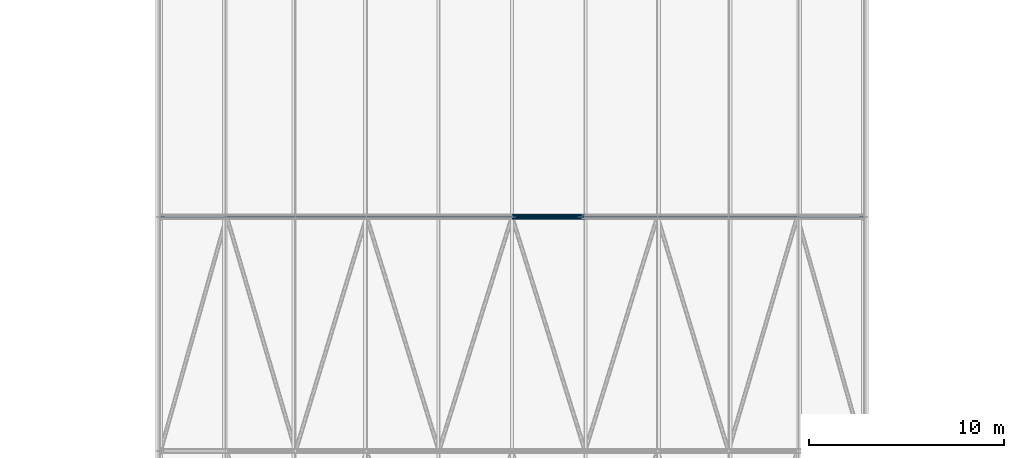
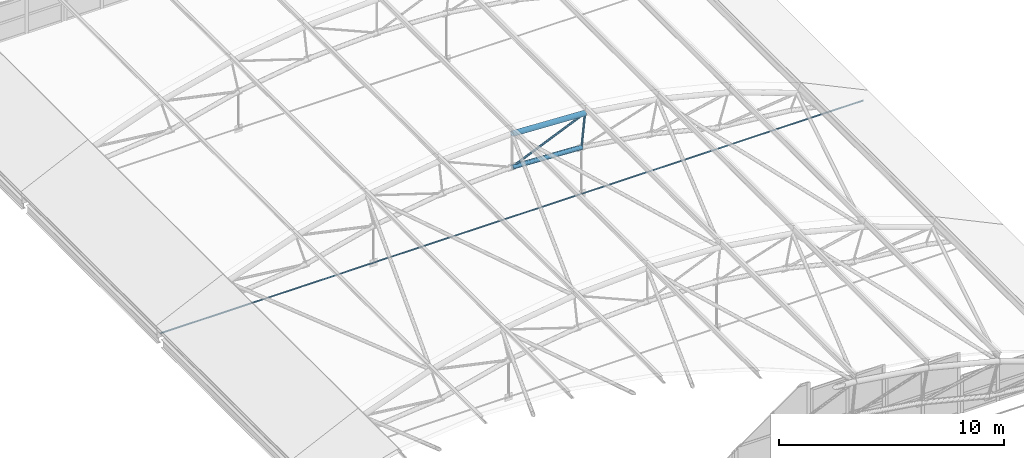
# One storey, part 214 of 321: 5 members.
"""IFC4 building model written with IfcOpenShell, lengths in metres."""

from ifc_helpers import new_model, si_unit, direction, frame, origin, origin_2d, place, context, subcontext, project, spatial, circle, hollow_circle, extrude, material, material_profile, profile_set, type_object, element, save


model = new_model("IFC4")

# Units and contexts
model_context = context("Model", 3, precision=1e-05, world=origin(), true_north=direction((0.0, 1.0)))
body_context = subcontext(model_context, "Body", "Model", "MODEL_VIEW")
ifc_project = project(units=[si_unit("LENGTHUNIT", "METRE"), si_unit("AREAUNIT", "SQUARE_METRE"), si_unit("VOLUMEUNIT", "CUBIC_METRE"), si_unit("PLANEANGLEUNIT", "RADIAN"), si_unit("MASSUNIT", "GRAM", prefix="KILO")], contexts=[model_context])

# Site, building, storey
site_placement = place(None, origin())
site = spatial("IfcSite", under=ifc_project, at=site_placement, CompositionType="ELEMENT")
building_placement = place(site_placement, origin())
building = spatial("IfcBuilding", under=site, at=building_placement, Name="Ravi Spectrum Wholesale Market", CompositionType="ELEMENT")
storey_placement = place(building_placement, frame((0.0, 0.0, 10.800048828125)))
storey = spatial("IfcBuildingStorey", under=building, at=storey_placement, Name="L02", CompositionType="ELEMENT", Elevation=10.800048828125)

# Members
ifc_material_1 = material(Name="Steel S355", Category="steel")
ifc_material_profile_1 = material_profile(ifc_material_1, hollow_circle(Radius=0.05712890625, WallThickness=0.00390625, at=origin_2d()))
ifc_profile_set_1 = profile_set([ifc_material_profile_1], Name="Steel S355")
member_type_1 = type_object("IfcMemberType", Name="CHS 114.3x4 brace", PredefinedType="BRACE", material=ifc_profile_set_1)
member_1_placement = place(storey_placement, frame((183.7421875, 162.0, 4.31640625), z_axis=(-0.918016770488, 0.0, -0.396541560373), x_axis=(0.0, -1.0, 0.0)))
element("IfcMember", 1, at=member_1_placement, inside=storey, type_object=member_type_1, Name="H3-MB-L02-114", PredefinedType="BRACE", context=body_context, shape_type="SweptSolid", body=[
    extrude(hollow_circle(Radius=0.05712890625, WallThickness=0.00390625, at=origin_2d()), origin(), (0.0, 0.0, 1.0), 4.076416015625),
])
ifc_material_2 = material(Name="Steel S355", Category="steel")
ifc_material_profile_2 = material_profile(ifc_material_2, hollow_circle(Radius=0.05712890625, WallThickness=0.00390625, at=origin_2d()))
ifc_profile_set_2 = profile_set([ifc_material_profile_2], Name="Steel S355")
member_type_2 = type_object("IfcMemberType", Name="CHS 114.3x4 post", PredefinedType="POST", material=ifc_profile_set_2)
member_2_placement = place(storey_placement, frame((183.7421875, 162.0, 4.31640625), z_axis=(-0.097797973815, 0.0, -0.995206288323), x_axis=(0.0, -1.0, 0.0)))
element("IfcMember", 2, at=member_2_placement, inside=storey, type_object=member_type_2, Name="H3-MB-L02-106", PredefinedType="POST", context=body_context, shape_type="SweptSolid", body=[
    extrude(hollow_circle(Radius=0.05712890625, WallThickness=0.00390625, at=origin_2d()), origin(), (0.0, 0.0, 1.0), 1.7998046875),
])
ifc_material_3 = material(Name="Steel S355", Category="steel")
ifc_material_profile_3 = material_profile(ifc_material_3, hollow_circle(Radius=0.122314453125, WallThickness=0.008056640625, at=origin_2d()))
ifc_profile_set_3 = profile_set([ifc_material_profile_3], Name="Steel S355")
member_type_3 = type_object("IfcMemberType", Name="CHS 244.5x8 chord", PredefinedType="CHORD", material=ifc_profile_set_3)
member_3_placement = place(storey_placement, frame((180.0, 162.0, 2.699951171875), z_axis=(0.998800798306, 0.0, -0.048958812322), x_axis=(0.0, 1.0, 0.0)))
element("IfcMember", 3, at=member_3_placement, inside=storey, type_object=member_type_3, Name="H3-MB-L02-096", PredefinedType="CHORD", context=body_context, shape_type="SweptSolid", body=[
    extrude(hollow_circle(Radius=0.122314453125, WallThickness=0.008056640625, at=origin_2d()), origin(), (0.0, 0.0, 1.0), 3.570556640625),
])
ifc_material_4 = material(Name="Steel S355", Category="steel")
ifc_material_profile_4 = material_profile(ifc_material_4, hollow_circle(Radius=0.136474609375, WallThickness=0.010009765625, at=origin_2d()))
ifc_profile_set_4 = profile_set([ifc_material_profile_4], Name="Steel S355")
member_type_4 = type_object("IfcMemberType", Name="CHS 273x10 chord", PredefinedType="CHORD", material=ifc_profile_set_4)
member_4_placement = place(storey_placement, frame((180.0, 162.0, 4.5), z_axis=(0.998798699726, 0.0, -0.049001606354), x_axis=(0.0, 1.0, 0.0)))
element("IfcMember", 4, at=member_4_placement, inside=storey, type_object=member_type_4, Name="H3-MB-L02-086", PredefinedType="CHORD", context=body_context, shape_type="SweptSolid", body=[
    extrude(hollow_circle(Radius=0.136474609375, WallThickness=0.010009765625, at=origin_2d()), origin(), (0.0, 0.0, 1.0), 3.74658203125),
])
ifc_material_5 = material(Name="Steel S460", Category="steel")
ifc_material_profile_5 = material_profile(ifc_material_5, circle(Radius=0.030029296875, at=origin_2d()))
ifc_profile_set_5 = profile_set([ifc_material_profile_5], Name="Steel S460")
member_type_5 = type_object("IfcMemberType", Name="ROD 60 tie", PredefinedType="BRACE", material=ifc_profile_set_5)
member_5_placement = place(storey_placement, frame((162.0, 162.0, 0.0), z_axis=(1.0, 0.0, 0.0), x_axis=(0.0, 1.0, 0.0)))
element("IfcMember", 5, at=member_5_placement, inside=storey, type_object=member_type_5, Name="H3-MB-L02-118", PredefinedType="BRACE", context=body_context, shape_type="SweptSolid", body=[
    extrude(circle(Radius=0.030029296875, at=origin_2d()), origin(), (0.0, 0.0, 1.0), 36.0),
])

save(model, "model.ifc")
